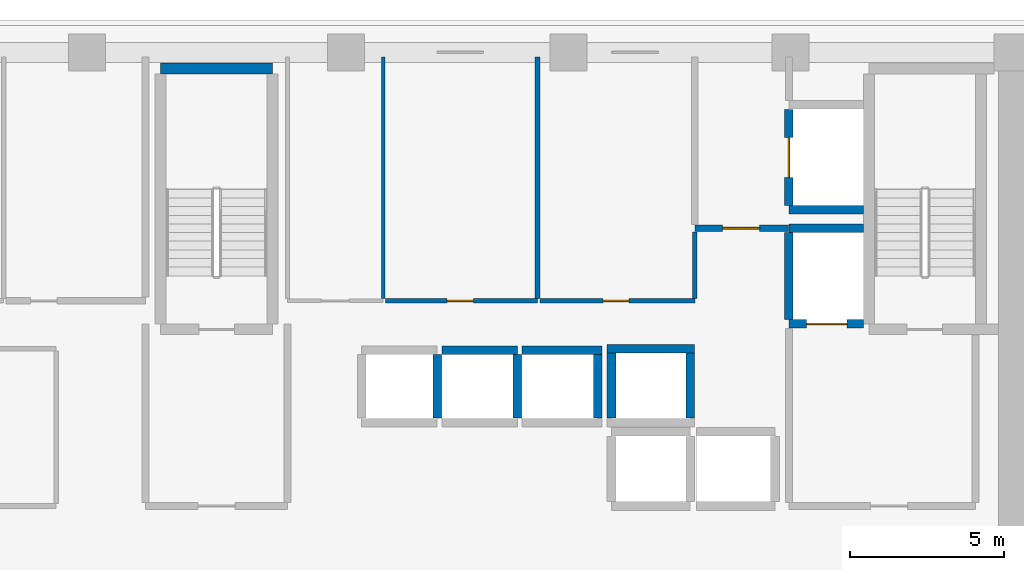
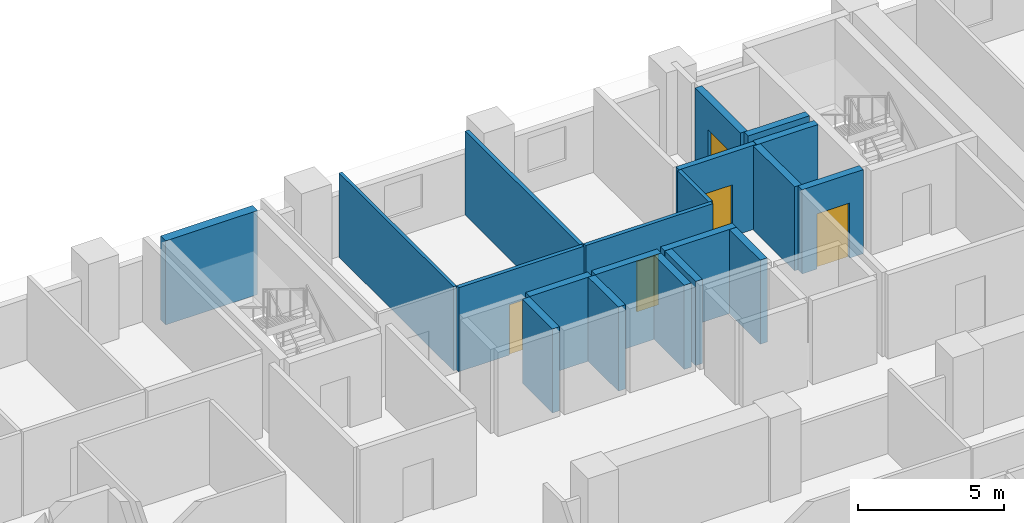
# One storey, part 8 of 15: 20 walls, 5 doors, 5 openings.
"""IFC4 building model written with IfcOpenShell, lengths in metres."""

from ifc_helpers import new_model, si_unit, direction, frame, frame_2d, origin, place, context, subcontext, project, spatial, rectangle, extrude, material, layer, layer_set, type_object, element, fill, save


model = new_model("IFC4")

# Units and contexts
model_context = context("Model", 3, precision=1e-05, world=origin(), true_north=direction((0.0, 1.0)))
body_context = subcontext(model_context, "Body", "Model", "MODEL_VIEW")
ifc_project = project(units=[si_unit("LENGTHUNIT", "METRE"), si_unit("AREAUNIT", "SQUARE_METRE"), si_unit("VOLUMEUNIT", "CUBIC_METRE"), si_unit("PLANEANGLEUNIT", "RADIAN"), si_unit("MASSUNIT", "GRAM", prefix="KILO")], contexts=[model_context])

# Site, building, storey
site_placement = place(None, origin())
site = spatial("IfcSite", under=ifc_project, at=site_placement, CompositionType="ELEMENT")
building_placement = place(site_placement, origin())
building = spatial("IfcBuilding", under=site, at=building_placement, Name="Kaelvorn Grand Hotel", CompositionType="ELEMENT")
storey_placement = place(building_placement, frame((0.0, 0.0, 100.550048828125)))
storey = spatial("IfcBuildingStorey", under=building, at=storey_placement, Name="L23", CompositionType="ELEMENT", Elevation=100.550048828125)

# Wall
ifc_material_1 = material(Name="Moisture-Resistant Tile & Stud Board")
ifc_layer_1 = layer(ifc_material_1, 0.125)
ifc_layer_set_1 = layer_set([ifc_layer_1], Name="Moisture-Resistant Tile & Stud Board")
wall_type_1 = type_object("IfcWallType", Name="WL-PART-125-WET", PredefinedType="PARTITIONING", material=ifc_layer_set_1)
wall_1_placement = place(storey_placement, frame((47.39990234375, 41.017578125, 0.0), z_axis=(0.0, 0.0, 1.0), x_axis=(0.0, 1.0, 0.0)))
element("IfcWall", 1, at=wall_1_placement, inside=storey, type_object=wall_type_1, Name="L23 Accessible WC E Partition", PredefinedType="PARTITIONING", context=body_context, shape_type="SweptSolid", body=[
    extrude(rectangle(XDim=7.83251953125, YDim=0.125, at=frame_2d((3.916259765625, 0.0))), origin(), (0.0, 0.0, 1.0), 3.510009765625),
])

# Wall, opening, door
ifc_material_2 = material(Name="Acoustic Gypsum & Stud Partition")
ifc_layer_2 = layer(ifc_material_2, 0.14990234375)
ifc_layer_set_2 = layer_set([ifc_layer_2], Name="Acoustic Gypsum & Stud Partition")
wall_type_2 = type_object("IfcWallType", Name="WL-PART-150-EI60", PredefinedType="PARTITIONING", material=ifc_layer_set_2)
wall_2_placement = place(storey_placement, frame((47.467529296875, 40.949951171875, 0.0), z_axis=(0.0, 0.0, 1.0), x_axis=(1.0, 0.0, 0.0)))
wall_2 = element("IfcWall", 2, at=wall_2_placement, inside=storey, type_object=wall_type_2, Name="L23 Valet & Luggage Store S Partition", PredefinedType="PARTITIONING", context=body_context, shape_type="SweptSolid", body=[
    extrude(rectangle(XDim=4.932373046875, YDim=0.14990234375, at=frame_2d((2.46630859375, 0.0))), origin(), (0.0, 0.0, 1.0), 3.510009765625),
])
opening_1_placement = place(wall_2_placement, frame((2.007568359375, 0.0, 0.0)))
opening_1 = element("IfcOpeningElement", 3, at=opening_1_placement, cuts=wall_2, Name="Opening DI7", PredefinedType="OPENING", context=body_context, shape_type="SweptSolid", body=[
    extrude(rectangle(XDim=0.85009765625, YDim=2.10009765625, at=frame_2d((0.425048828125, 1.050048828125))), frame((0.0, 0.0849609375, 0.0), z_axis=(0.0, -1.0, 0.0), x_axis=(1.0, 0.0, 0.0)), (0.0, 0.0, 1.0), 0.169921875),
])
ifc_material_3 = material(Name="Powder-Coated Steel Leaf", Category="steel")
door_type_1 = type_object("IfcDoorType", Name="DR-INT-RISER-850x2100", OperationType="NOTDEFINED", PredefinedType="DOOR", material=ifc_material_3)
door_1_placement = place(opening_1_placement, origin())
door_1 = element("IfcDoor", 4, at=door_1_placement, inside=storey, type_object=door_type_1, Name="L23 Valet & Luggage Store Door", OperationType="SINGLE_SWING_RIGHT", OverallHeight=2.10009765625, OverallWidth=0.85009765625, PredefinedType="DOOR", context=body_context, shape_type="SweptSolid", body=[
    extrude(rectangle(XDim=0.85009765625, YDim=2.10009765625, at=frame_2d((0.425048828125, 1.050048828125))), frame((0.0, 0.02490234375, 0.0), z_axis=(0.0, -1.0, 0.0), x_axis=(1.0, 0.0, 0.0)), (0.0, 0.0, 1.0), 0.050048828125),
])
fill(opening_1, door_1)

# Wall
wall_3_placement = place(storey_placement, frame((52.39990234375, 41.030029296875, 0.0), z_axis=(0.0, 0.0, 1.0), x_axis=(0.0, 1.0, 0.0)))
element("IfcWall", 5, at=wall_3_placement, inside=storey, type_object=wall_type_2, Name="L23 Valet & Luggage Store E Partition", PredefinedType="PARTITIONING", context=body_context, shape_type="SweptSolid", body=[
    extrude(rectangle(XDim=7.820068359375, YDim=0.14990234375, at=frame_2d((3.91015625, 0.0))), origin(), (0.0, 0.0, 1.0), 3.510009765625),
])

# Wall, opening, door
wall_4_placement = place(storey_placement, frame((52.47998046875, 40.949951171875, 0.0), z_axis=(0.0, 0.0, 1.0), x_axis=(1.0, 0.0, 0.0)))
wall_4 = element("IfcWall", 6, at=wall_4_placement, inside=storey, type_object=wall_type_2, Name="L23 Clean Utility & Amenity Store S Partition", PredefinedType="PARTITIONING", context=body_context, shape_type="SweptSolid", body=[
    extrude(rectangle(XDim=5.02001953125, YDim=0.14990234375, at=frame_2d((2.510009765625, 0.0))), origin(), (0.0, 0.0, 1.0), 3.510009765625),
])
opening_2_placement = place(wall_4_placement, frame((2.044921875, 0.0, 0.0)))
opening_2 = element("IfcOpeningElement", 7, at=opening_2_placement, cuts=wall_4, Name="Opening DI7", PredefinedType="OPENING", context=body_context, shape_type="SweptSolid", body=[
    extrude(rectangle(XDim=0.85009765625, YDim=2.10009765625, at=frame_2d((0.425048828125, 1.050048828125))), frame((0.0, 0.0849609375, 0.0), z_axis=(0.0, -1.0, 0.0), x_axis=(1.0, 0.0, 0.0)), (0.0, 0.0, 1.0), 0.169921875),
])
door_2_placement = place(opening_2_placement, origin())
door_2 = element("IfcDoor", 8, at=door_2_placement, inside=storey, type_object=door_type_1, Name="L23 Clean Utility & Amenity Store Door", OperationType="SINGLE_SWING_LEFT", OverallHeight=2.10009765625, OverallWidth=0.85009765625, PredefinedType="DOOR", context=body_context, shape_type="SweptSolid", body=[
    extrude(rectangle(XDim=0.85009765625, YDim=2.10009765625, at=frame_2d((0.425048828125, 1.050048828125))), frame((0.0, 0.02490234375, 0.0), z_axis=(0.0, -1.0, 0.0), x_axis=(1.0, 0.0, 0.0)), (0.0, 0.0, 1.0), 0.050048828125),
])
fill(opening_2, door_2)

# Wall
wall_5_placement = place(storey_placement, frame((57.5, 41.030029296875, 0.0), z_axis=(0.0, 0.0, 1.0), x_axis=(0.0, 1.0, 0.0)))
element("IfcWall", 9, at=wall_5_placement, inside=storey, type_object=wall_type_2, Name="L23 Clean Utility & Amenity Store E Partition", PredefinedType="PARTITIONING", context=body_context, shape_type="SweptSolid", body=[
    extrude(rectangle(XDim=2.155029296875, YDim=0.14990234375, at=frame_2d((1.07763671875, 0.0))), origin(), (0.0, 0.0, 1.0), 3.510009765625),
])

# Wall, opening, door
ifc_material_4 = material(Name="Concrete C40/50", Category="concrete")
ifc_layer_3 = layer(ifc_material_4, 0.219970703125)
ifc_layer_set_3 = layer_set([ifc_layer_3], Name="Concrete C40/50")
wall_type_3 = type_object("IfcWallType", Name="WL-PART-220-EI120", PredefinedType="PARTITIONING", material=ifc_layer_set_3)
wall_6_placement = place(storey_placement, frame((57.5, 43.300048828125, 0.0), z_axis=(0.0, 0.0, 1.0), x_axis=(1.0, 0.0, 0.0)))
wall_6 = element("IfcWall", 10, at=wall_6_placement, inside=storey, type_object=wall_type_3, Name="L23 Service Lift Lobby S Partition", PredefinedType="PARTITIONING", context=body_context, shape_type="SweptSolid", body=[
    extrude(rectangle(XDim=3.0400390625, YDim=0.219970703125, at=frame_2d((1.52001953125, 0.0))), origin(), (0.0, 0.0, 1.0), 3.510009765625),
])
opening_3_placement = place(wall_6_placement, frame((0.89990234375, 0.0, 0.0)))
opening_3 = element("IfcOpeningElement", 11, at=opening_3_placement, cuts=wall_6, Name="Opening DI2", PredefinedType="OPENING", context=body_context, shape_type="SweptSolid", body=[
    extrude(rectangle(XDim=1.199951171875, YDim=2.14990234375, at=frame_2d((0.60009765625, 1.074951171875))), frame((0.0, 0.1201171875, 0.0), z_axis=(0.0, -1.0, 0.0), x_axis=(1.0, 0.0, 0.0)), (0.0, 0.0, 1.0), 0.239990234375),
])
ifc_material_5 = material(Name="Timber Veneer Fire Leaf", Category="wood")
door_type_2 = type_object("IfcDoorType", Name="DR-INT-FFLOB-1200x2150", OperationType="NOTDEFINED", PredefinedType="DOOR", material=ifc_material_5)
door_3_placement = place(opening_3_placement, origin())
door_3 = element("IfcDoor", 12, at=door_3_placement, inside=storey, type_object=door_type_2, Name="L23 Service Lift Lobby Door", OperationType="SINGLE_SWING_RIGHT", OverallHeight=2.14990234375, OverallWidth=1.199951171875, PredefinedType="DOOR", context=body_context, shape_type="SweptSolid", body=[
    extrude(rectangle(XDim=1.199951171875, YDim=2.14990234375, at=frame_2d((0.60009765625, 1.074951171875))), frame((0.0, 0.02490234375, 0.0), z_axis=(0.0, -1.0, 0.0), x_axis=(1.0, 0.0, 0.0)), (0.0, 0.0, 1.0), 0.050048828125),
])
fill(opening_3, door_3)

# Walls
ifc_material_6 = material(Name="Concrete C50/60", Category="concrete")
ifc_layer_4 = layer(ifc_material_6, 0.280029296875)
ifc_layer_set_4 = layer_set([ifc_layer_4], Name="Concrete C50/60")
wall_type_4 = type_object("IfcWallType", Name="WL-SHAFT-280-C50", PredefinedType="SHEAR", material=ifc_layer_set_4)
wall_7_placement = place(storey_placement, frame((49.14990234375, 37.14501953125, 0.0), z_axis=(0.0, 0.0, 1.0), x_axis=(0.0, 1.0, 0.0)))
element("IfcWall", 13, at=wall_7_placement, inside=storey, type_object=wall_type_4, Name="L23 Lift SL-1 Shaft East Wall", PredefinedType="SHEAR", context=body_context, shape_type="SweptSolid", body=[
    extrude(rectangle(XDim=2.06005859375, YDim=0.280029296875, at=frame_2d((1.030029296875, 0.0))), origin(), (0.0, 0.0, 1.0), 3.510009765625),
])
wall_8_placement = place(storey_placement, frame((49.300048828125, 39.35009765625, 0.0), z_axis=(0.0, 0.0, 1.0), x_axis=(1.0, 0.0, 0.0)))
element("IfcWall", 14, at=wall_8_placement, inside=storey, type_object=wall_type_4, Name="L23 Lift SL-2 Shaft North Wall", PredefinedType="SHEAR", context=body_context, shape_type="SweptSolid", body=[
    extrude(rectangle(XDim=2.449951171875, YDim=0.280029296875, at=frame_2d((1.22509765625, 0.0))), origin(), (0.0, 0.0, 1.0), 3.510009765625),
])
wall_9_placement = place(storey_placement, frame((51.75, 37.14501953125, 0.0), z_axis=(0.0, 0.0, 1.0), x_axis=(0.0, 1.0, 0.0)))
element("IfcWall", 15, at=wall_9_placement, inside=storey, type_object=wall_type_4, Name="L23 Lift SL-2 Shaft East Wall", PredefinedType="SHEAR", context=body_context, shape_type="SweptSolid", body=[
    extrude(rectangle(XDim=2.06005859375, YDim=0.280029296875, at=frame_2d((1.030029296875, 0.0))), origin(), (0.0, 0.0, 1.0), 3.510009765625),
])
wall_10_placement = place(storey_placement, frame((51.89990234375, 39.35009765625, 0.0), z_axis=(0.0, 0.0, 1.0), x_axis=(1.0, 0.0, 0.0)))
element("IfcWall", 16, at=wall_10_placement, inside=storey, type_object=wall_type_4, Name="L23 Lift SL-3 Shaft North Wall", PredefinedType="SHEAR", context=body_context, shape_type="SweptSolid", body=[
    extrude(rectangle(XDim=2.590087890625, YDim=0.280029296875, at=frame_2d((1.294921875, 0.0))), origin(), (0.0, 0.0, 1.0), 3.510009765625),
])
wall_11_placement = place(storey_placement, frame((54.35009765625, 37.14501953125, 0.0), z_axis=(0.0, 0.0, 1.0), x_axis=(0.0, 1.0, 0.0)))
element("IfcWall", 17, at=wall_11_placement, inside=storey, type_object=wall_type_4, Name="L23 Lift SL-3 Shaft East Wall", PredefinedType="SHEAR", context=body_context, shape_type="SweptSolid", body=[
    extrude(rectangle(XDim=2.06005859375, YDim=0.280029296875, at=frame_2d((1.030029296875, 0.0))), origin(), (0.0, 0.0, 1.0), 3.510009765625),
])
wall_12_placement = place(storey_placement, frame((54.659912109375, 39.39990234375, 0.0), z_axis=(0.0, 0.0, 1.0), x_axis=(1.0, 0.0, 0.0)))
element("IfcWall", 18, at=wall_12_placement, inside=storey, type_object=wall_type_4, Name="L23 Lift OL-3 Shaft North Wall", PredefinedType="SHEAR", context=body_context, shape_type="SweptSolid", body=[
    extrude(rectangle(XDim=2.830078125, YDim=0.280029296875, at=frame_2d((1.4150390625, 0.0))), origin(), (0.0, 0.0, 1.0), 3.510009765625),
])
for number, where, z_axis, x_axis, name in (
    (19, (54.800048828125, 37.14501953125, 0.0), (0.0, 0.0, 1.0), (0.0, 1.0, 0.0), "L23 Lift OL-3 Shaft West Wall"),
    (20, (57.35009765625, 37.14501953125, 0.0), (0.0, 0.0, 1.0), (0.0, 1.0, 0.0), "L23 Lift OL-3 Shaft East Wall"),
):
    element("IfcWall", number, at=place(storey_placement, frame(where, z_axis=z_axis, x_axis=x_axis)), inside=storey, type_object=wall_type_4, Name=name, PredefinedType="SHEAR", context=body_context, shape_type="SweptSolid", body=[
        extrude(rectangle(XDim=2.10986328125, YDim=0.280029296875, at=frame_2d((1.054931640625, 0.0))), origin(), (0.0, 0.0, 1.0), 3.510009765625),
    ])

# Wall, opening, door
wall_13_placement = place(storey_placement, frame((60.550048828125, 40.199951171875, 0.0), z_axis=(0.0, 0.0, 1.0), x_axis=(1.0, 0.0, 0.0)))
wall_13 = element("IfcWall", 21, at=wall_13_placement, inside=storey, type_object=wall_type_4, Name="L23 Lift FFL2 Shaft South Wall", PredefinedType="SHEAR", context=body_context, shape_type="SweptSolid", body=[
    extrude(rectangle(XDim=2.4150390625, YDim=0.280029296875, at=frame_2d((1.20751953125, 0.0))), origin(), (0.0, 0.0, 1.0), 3.510009765625),
])
opening_4_placement = place(wall_13_placement, frame((0.574951171875, 0.0, 0.0)))
opening_4 = element("IfcOpeningElement", 22, at=opening_4_placement, cuts=wall_13, Name="Opening LD-FFL2", PredefinedType="OPENING", context=body_context, shape_type="SweptSolid", body=[
    extrude(rectangle(XDim=1.300048828125, YDim=2.300048828125, at=frame_2d((0.64990234375, 1.14990234375))), frame((0.0, 0.14990234375, 0.0), z_axis=(0.0, -1.0, 0.0), x_axis=(1.0, 0.0, 0.0)), (0.0, 0.0, 1.0), 0.300048828125),
])
ifc_material_7 = material(Name="Stainless Steel", Category="steel")
door_type_3 = type_object("IfcDoorType", Name="DR-LIFT-SERV-1300x2300", OperationType="DOUBLE_DOOR_SLIDING", PredefinedType="DOOR", material=ifc_material_7)
door_4_placement = place(opening_4_placement, origin())
door_4 = element("IfcDoor", 23, at=door_4_placement, inside=storey, type_object=door_type_3, Name="L23 Lift FFL2 Sliding Landing Door LD-FFL2", OperationType="DOUBLE_DOOR_SLIDING", OverallHeight=2.300048828125, OverallWidth=1.300048828125, PredefinedType="DOOR", context=body_context, shape_type="SweptSolid", body=[
    extrude(rectangle(XDim=1.300048828125, YDim=2.300048828125, at=frame_2d((0.64990234375, 1.14990234375))), frame((0.0, 0.02490234375, 0.0), z_axis=(0.0, -1.0, 0.0), x_axis=(1.0, 0.0, 0.0)), (0.0, 0.0, 1.0), 0.050048828125),
])
fill(opening_4, door_4)

# Walls
wall_14_placement = place(storey_placement, frame((60.550048828125, 43.300048828125, 0.0), z_axis=(0.0, 0.0, 1.0), x_axis=(1.0, 0.0, 0.0)))
element("IfcWall", 24, at=wall_14_placement, inside=storey, type_object=wall_type_4, Name="L23 Lift FFL2 Shaft North Wall", PredefinedType="SHEAR", context=body_context, shape_type="SweptSolid", body=[
    extrude(rectangle(XDim=2.4150390625, YDim=0.280029296875, at=frame_2d((1.20751953125, 0.0))), origin(), (0.0, 0.0, 1.0), 3.510009765625),
])
wall_15_placement = place(storey_placement, frame((60.550048828125, 40.344970703125, 0.0), z_axis=(0.0, 0.0, 1.0), x_axis=(0.0, 1.0, 0.0)))
element("IfcWall", 25, at=wall_15_placement, inside=storey, type_object=wall_type_4, Name="L23 Lift FFL2 Shaft West Wall", PredefinedType="SHEAR", context=body_context, shape_type="SweptSolid", body=[
    extrude(rectangle(XDim=2.81005859375, YDim=0.280029296875, at=frame_2d((1.405029296875, 0.0))), origin(), (0.0, 0.0, 1.0), 3.510009765625),
])
wall_16_placement = place(storey_placement, frame((60.550048828125, 43.89990234375, 0.0), z_axis=(0.0, 0.0, 1.0), x_axis=(1.0, 0.0, 0.0)))
element("IfcWall", 26, at=wall_16_placement, inside=storey, type_object=wall_type_4, Name="L23 Lift SV1 Shaft South Wall", PredefinedType="SHEAR", context=body_context, shape_type="SweptSolid", body=[
    extrude(rectangle(XDim=2.4150390625, YDim=0.280029296875, at=frame_2d((1.20751953125, 0.0))), origin(), (0.0, 0.0, 1.0), 3.510009765625),
])

# Wall, opening, door
wall_17_placement = place(storey_placement, frame((60.550048828125, 44.044921875, 0.0), z_axis=(0.0, 0.0, 1.0), x_axis=(0.0, 1.0, 0.0)))
wall_17 = element("IfcWall", 27, at=wall_17_placement, inside=storey, type_object=wall_type_4, Name="L23 Lift SV1 Shaft West Wall", PredefinedType="SHEAR", context=body_context, shape_type="SweptSolid", body=[
    extrude(rectangle(XDim=3.110107421875, YDim=0.280029296875, at=frame_2d((1.55517578125, 0.0))), origin(), (0.0, 0.0, 1.0), 3.510009765625),
])
opening_5_placement = place(wall_17_placement, frame((0.905029296875, 0.0, 0.0)))
opening_5 = element("IfcOpeningElement", 28, at=opening_5_placement, cuts=wall_17, Name="Opening LD-SV1", PredefinedType="OPENING", context=body_context, shape_type="SweptSolid", body=[
    extrude(rectangle(XDim=1.300048828125, YDim=2.300048828125, at=frame_2d((0.64990234375, 1.14990234375))), frame((0.0, 0.14990234375, 0.0), z_axis=(0.0, -1.0, 0.0), x_axis=(1.0, 0.0, 0.0)), (0.0, 0.0, 1.0), 0.300048828125),
])
door_5_placement = place(opening_5_placement, origin())
door_5 = element("IfcDoor", 29, at=door_5_placement, inside=storey, type_object=door_type_3, Name="L23 Lift SV1 Sliding Landing Door LD-SV1", OperationType="DOUBLE_DOOR_SLIDING", OverallHeight=2.300048828125, OverallWidth=1.300048828125, PredefinedType="DOOR", context=body_context, shape_type="SweptSolid", body=[
    extrude(rectangle(XDim=1.300048828125, YDim=2.300048828125, at=frame_2d((0.64990234375, 1.14990234375))), frame((0.0, 0.02490234375, 0.0), z_axis=(0.0, -1.0, 0.0), x_axis=(1.0, 0.0, 0.0)), (0.0, 0.0, 1.0), 0.050048828125),
])
fill(opening_5, door_5)

# Wall
ifc_material_8 = material(Name="Concrete C60/75", Category="concrete")
ifc_layer_5 = layer(ifc_material_8, 0.35009765625)
ifc_layer_set_5 = layer_set([ifc_layer_5], Name="Concrete C60/75")
wall_type_5 = type_object("IfcWallType", Name="WL-SHAFT-350-C60", PredefinedType="SHEAR", material=ifc_layer_set_5)
wall_18_placement = place(storey_placement, frame((40.18505859375, 48.47509765625, 0.0), z_axis=(0.0, 0.0, 1.0), x_axis=(1.0, 0.0, 0.0)))
element("IfcWall", 30, at=wall_18_placement, inside=storey, type_object=wall_type_5, Name="L23 ST2 Stair Shaft North Wall", PredefinedType="SHEAR", context=body_context, shape_type="SweptSolid", body=[
    extrude(rectangle(XDim=3.6298828125, YDim=0.35009765625, at=frame_2d((1.81494140625, 0.0))), origin(), (0.0, 0.0, 1.0), 3.510009765625),
])

save(model, "model.ifc")
